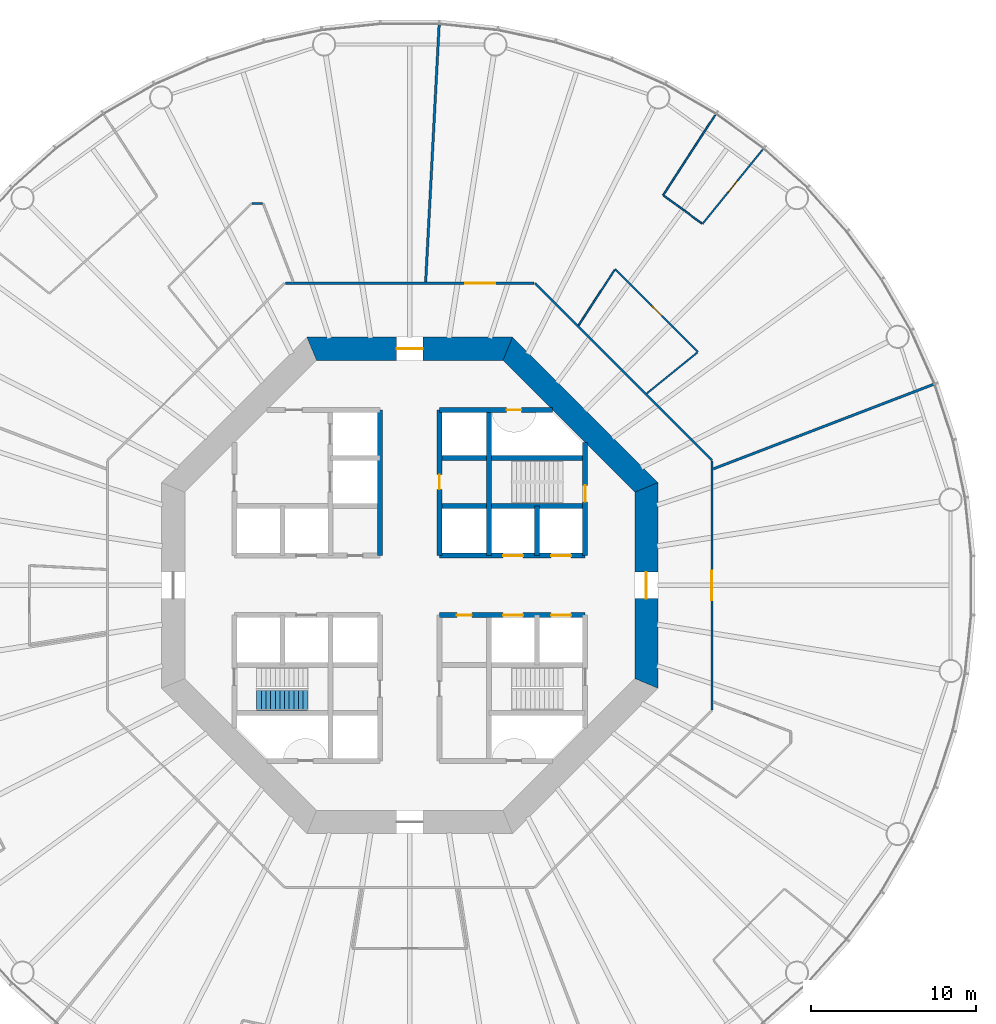
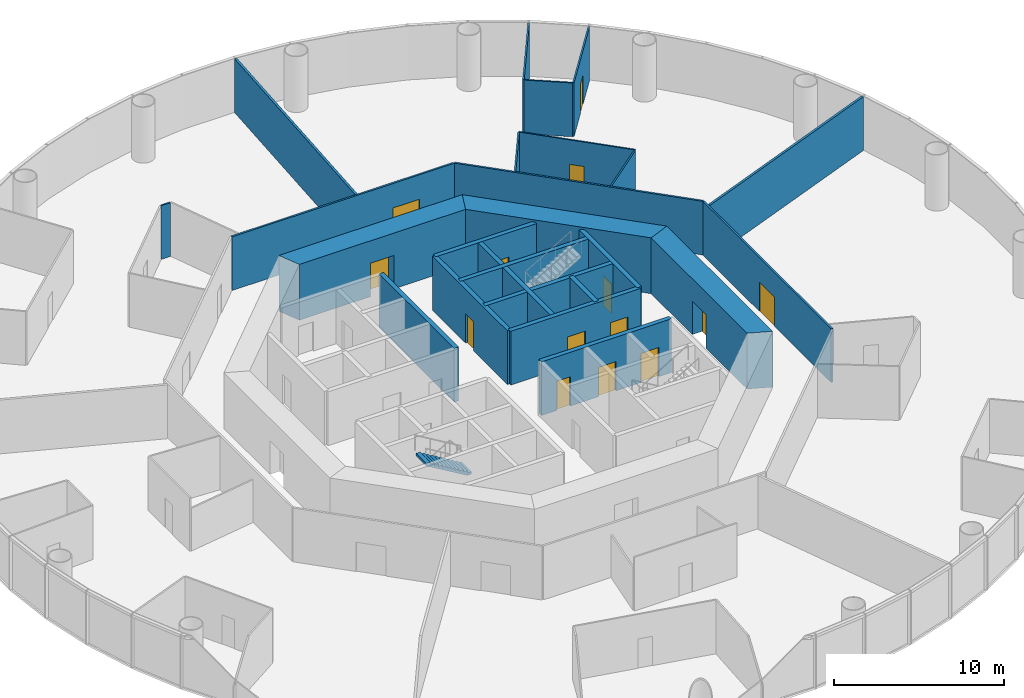
# One storey, part 5 of 13: 25 walls, 14 doors, 1 stair flight, 14 openings, 1 element without a shape of its own.
"""IFC4 building model written with IfcOpenShell, lengths in metres."""

from ifc_helpers import new_model, si_unit, direction, frame, frame_2d, origin, place, context, subcontext, project, spatial, polyline, rectangle, outline, extrude, material, layer, layer_set, type_object, element, fill, aggregate, save


model = new_model("IFC4")

# Units and contexts
model_context = context("Model", 3, precision=1e-05, world=origin(), true_north=direction((0.0, 1.0)))
body_context = subcontext(model_context, "Body", "Model", "MODEL_VIEW")
ifc_project = project(units=[si_unit("LENGTHUNIT", "METRE"), si_unit("AREAUNIT", "SQUARE_METRE"), si_unit("VOLUMEUNIT", "CUBIC_METRE"), si_unit("PLANEANGLEUNIT", "RADIAN"), si_unit("MASSUNIT", "GRAM", prefix="KILO")], contexts=[model_context])

# Site, building, storey
site_placement = place(None, origin())
site = spatial("IfcSite", under=ifc_project, at=site_placement, CompositionType="ELEMENT")
building_placement = place(site_placement, origin())
building = spatial("IfcBuilding", under=site, at=building_placement, Name="Entoto Ring Tower", CompositionType="ELEMENT")
storey_placement = place(building_placement, frame((0.0, 0.0, 62.0)))
storey = spatial("IfcBuildingStorey", under=building, at=storey_placement, Name="L13", CompositionType="ELEMENT", Elevation=62.0)

# Wall, opening, door
ifc_material_1 = material(Name="Concrete C40/50", Category="concrete")
ifc_layer_1 = layer(ifc_material_1, 0.300048828125)
ifc_layer_set_1 = layer_set([ifc_layer_1], Name="Concrete C40/50")
wall_type_1 = type_object("IfcWallType", Name="Core enclosure wall 300 mm reinforced concrete", PredefinedType="SOLIDWALL", material=ifc_layer_set_1)
wall_1_placement = place(storey_placement, frame((100.60009765625, 81.800048828125, 0.0), z_axis=(0.0, 0.0, 1.0), x_axis=(0.0, 1.0, 0.0)))
wall_1 = element("IfcWall", 1, at=wall_1_placement, inside=storey, type_object=wall_type_1, Name="wall-L13-002", PredefinedType="SOLIDWALL", context=body_context, shape_type="SweptSolid", body=[
    extrude(rectangle(XDim=6.833251953125, YDim=0.300048828125, at=frame_2d((3.41650390625, 0.0))), origin(), (0.0, 0.0, 1.0), 3.85009765625),
])
opening_1_placement = place(wall_1_placement, frame((3.25, 0.0, 0.0)))
opening_1 = element("IfcOpeningElement", 2, at=opening_1_placement, cuts=wall_1, Name="Opening K-55", PredefinedType="OPENING", context=body_context, shape_type="SweptSolid", body=[
    extrude(rectangle(XDim=1.0, YDim=2.10009765625, at=frame_2d((0.5, 1.050048828125))), frame((0.0, 0.16015625, 0.0), z_axis=(0.0, -1.0, 0.0), x_axis=(1.0, 0.0, 0.0)), (0.0, 0.0, 1.0), 0.320068359375),
])
ifc_material_2 = material(Name="Steel door leaf, fire rated", Category="steel")
ifc_layer_2 = layer(ifc_material_2, 0.050048828125)
ifc_layer_set_2 = layer_set([ifc_layer_2], Name="Steel door leaf, fire rated")
door_type_1 = type_object("IfcDoorType", Name="Fire door FD60 1000 x 2100 single leaf", OperationType="NOTDEFINED", PredefinedType="DOOR", material=ifc_layer_set_2)
door_1_placement = place(opening_1_placement, origin())
door_1 = element("IfcDoor", 3, at=door_1_placement, inside=storey, type_object=door_type_1, Name="Door K-55", OperationType="SINGLE_SWING_LEFT", OverallHeight=2.10009765625, OverallWidth=1.0, PredefinedType="DOOR", context=body_context, shape_type="SweptSolid", body=[
    extrude(rectangle(XDim=1.0, YDim=2.10009765625, at=frame_2d((0.5, 1.050048828125))), frame((0.0, 0.02490234375, 0.0), z_axis=(0.0, -1.0, 0.0), x_axis=(1.0, 0.0, 0.0)), (0.0, 0.0, 1.0), 0.050048828125),
])
fill(opening_1, door_1)

# Walls
wall_2_placement = place(storey_placement, frame((97.699951171875, 81.800048828125, 0.0), z_axis=(0.0, 0.0, 1.0), x_axis=(0.0, 1.0, 0.0)))
element("IfcWall", 4, at=wall_2_placement, inside=storey, type_object=wall_type_1, Name="wall-L13-004", PredefinedType="SOLIDWALL", context=body_context, shape_type="SweptSolid", body=[
    extrude(rectangle(XDim=3.0, YDim=0.300048828125, at=frame_2d((1.5, 0.0))), origin(), (0.0, 0.0, 1.0), 3.85009765625),
])
wall_3_placement = place(storey_placement, frame((94.800048828125, 81.800048828125, 0.0), z_axis=(0.0, 0.0, 1.0), x_axis=(0.0, 1.0, 0.0)))
element("IfcWall", 5, at=wall_3_placement, inside=storey, type_object=wall_type_1, Name="wall-L13-006", PredefinedType="SOLIDWALL", context=body_context, shape_type="SweptSolid", body=[
    extrude(rectangle(XDim=8.800048828125, YDim=0.300048828125, at=frame_2d((4.39990234375, 0.0))), origin(), (0.0, 0.0, 1.0), 3.85009765625),
])

# Wall, opening, door
wall_4_placement = place(storey_placement, frame((91.800048828125, 81.800048828125, 0.0), z_axis=(0.0, 0.0, 1.0), x_axis=(0.0, 1.0, 0.0)))
wall_4 = element("IfcWall", 6, at=wall_4_placement, inside=storey, type_object=wall_type_1, Name="wall-L13-008", PredefinedType="SOLIDWALL", context=body_context, shape_type="SweptSolid", body=[
    extrude(rectangle(XDim=8.800048828125, YDim=0.300048828125, at=frame_2d((4.39990234375, 0.0))), origin(), (0.0, 0.0, 1.0), 3.85009765625),
])
opening_2_placement = place(wall_4_placement, frame((4.0, 0.0, 0.0)))
opening_2 = element("IfcOpeningElement", 7, at=opening_2_placement, cuts=wall_4, Name="Opening K-11", PredefinedType="OPENING", context=body_context, shape_type="SweptSolid", body=[
    extrude(rectangle(XDim=0.89990234375, YDim=2.10009765625, at=frame_2d((0.449951171875, 1.050048828125))), frame((0.0, 0.16015625, 0.0), z_axis=(0.0, -1.0, 0.0), x_axis=(1.0, 0.0, 0.0)), (0.0, 0.0, 1.0), 0.320068359375),
])
ifc_material_3 = material(Name="Steel door leaf, fire rated", Category="steel")
ifc_layer_3 = layer(ifc_material_3, 0.050048828125)
ifc_layer_set_3 = layer_set([ifc_layer_3], Name="Steel door leaf, fire rated")
door_type_2 = type_object("IfcDoorType", Name="Core door 900 x 2100 single leaf", OperationType="NOTDEFINED", PredefinedType="DOOR", material=ifc_layer_set_3)
door_2_placement = place(opening_2_placement, origin())
door_2 = element("IfcDoor", 8, at=door_2_placement, inside=storey, type_object=door_type_2, Name="Door K-11", OperationType="SINGLE_SWING_RIGHT", OverallHeight=2.10009765625, OverallWidth=0.89990234375, PredefinedType="DOOR", context=body_context, shape_type="SweptSolid", body=[
    extrude(rectangle(XDim=0.89990234375, YDim=2.10009765625, at=frame_2d((0.449951171875, 1.050048828125))), frame((0.0, 0.02490234375, 0.0), z_axis=(0.0, -1.0, 0.0), x_axis=(1.0, 0.0, 0.0)), (0.0, 0.0, 1.0), 0.050048828125),
])
fill(opening_2, door_2)

# Wall
wall_5_placement = place(storey_placement, frame((88.199951171875, 81.800048828125, 0.0), z_axis=(0.0, 0.0, 1.0), x_axis=(0.0, 1.0, 0.0)))
element("IfcWall", 9, at=wall_5_placement, inside=storey, type_object=wall_type_1, Name="wall-L13-010", PredefinedType="SOLIDWALL", context=body_context, shape_type="SweptSolid", body=[
    extrude(rectangle(XDim=8.800048828125, YDim=0.300048828125, at=frame_2d((4.39990234375, 0.0))), origin(), (0.0, 0.0, 1.0), 3.85009765625),
])

# Wall, openings, doors
wall_6_placement = place(storey_placement, frame((91.800048828125, 78.199951171875, 0.0), z_axis=(0.0, 0.0, 1.0), x_axis=(1.0, 0.0, 0.0)))
wall_6 = element("IfcWall", 10, at=wall_6_placement, inside=storey, type_object=wall_type_1, Name="wall-L13-024", PredefinedType="SOLIDWALL", context=body_context, shape_type="SweptSolid", body=[
    extrude(rectangle(XDim=8.800048828125, YDim=0.300048828125, at=frame_2d((4.39990234375, 0.0))), origin(), (0.0, 0.0, 1.0), 3.85009765625),
])
opening_3_placement = place(wall_6_placement, frame((3.85009765625, 0.0, 0.0)))
opening_3 = element("IfcOpeningElement", 11, at=opening_3_placement, cuts=wall_6, Name="Opening LD", PredefinedType="OPENING", context=body_context, shape_type="SweptSolid", body=[
    extrude(rectangle(XDim=1.199951171875, YDim=2.10009765625, at=frame_2d((0.60009765625, 1.050048828125))), frame((0.0, 0.16015625, 0.0), z_axis=(0.0, -1.0, 0.0), x_axis=(1.0, 0.0, 0.0)), (0.0, 0.0, 1.0), 0.320068359375),
])
opening_4_placement = place(wall_6_placement, frame((6.75, 0.0, 0.0)))
opening_4 = element("IfcOpeningElement", 12, at=opening_4_placement, cuts=wall_6, Name="Opening LD", PredefinedType="OPENING", context=body_context, shape_type="SweptSolid", body=[
    extrude(rectangle(XDim=1.199951171875, YDim=2.10009765625, at=frame_2d((0.60009765625, 1.050048828125))), frame((0.0, 0.16015625, 0.0), z_axis=(0.0, -1.0, 0.0), x_axis=(1.0, 0.0, 0.0)), (0.0, 0.0, 1.0), 0.320068359375),
])
opening_5_placement = place(wall_6_placement, frame((1.050048828125, 0.0, 0.0)))
opening_5 = element("IfcOpeningElement", 13, at=opening_5_placement, cuts=wall_6, Name="Opening K-15", PredefinedType="OPENING", context=body_context, shape_type="SweptSolid", body=[
    extrude(rectangle(XDim=0.89990234375, YDim=2.10009765625, at=frame_2d((0.449951171875, 1.050048828125))), frame((0.0, 0.16015625, 0.0), z_axis=(0.0, -1.0, 0.0), x_axis=(1.0, 0.0, 0.0)), (0.0, 0.0, 1.0), 0.320068359375),
])
door_3_placement = place(opening_5_placement, frame((0.89990234375, 0.0, 0.0), z_axis=(0.0, 0.0, 1.0), x_axis=(-1.0, 0.0, 0.0)))
door_3 = element("IfcDoor", 14, at=door_3_placement, inside=storey, type_object=door_type_2, Name="Door K-15", OperationType="SINGLE_SWING_RIGHT", OverallHeight=2.10009765625, OverallWidth=0.89990234375, PredefinedType="DOOR", context=body_context, shape_type="SweptSolid", body=[
    extrude(rectangle(XDim=0.89990234375, YDim=2.10009765625, at=frame_2d((0.449951171875, 1.050048828125))), frame((0.0, 0.02490234375, 0.0), z_axis=(0.0, -1.0, 0.0), x_axis=(1.0, 0.0, 0.0)), (0.0, 0.0, 1.0), 0.050048828125),
])
fill(opening_5, door_3)
ifc_material_4 = material(Name="Steel and glass door leaf", Category="steel")
ifc_layer_4 = layer(ifc_material_4, 0.050048828125)
ifc_layer_set_4 = layer_set([ifc_layer_4], Name="Steel and glass door leaf")
door_type_3 = type_object("IfcDoorType", Name="Landing door 1200 x 2100 sliding", OperationType="DOUBLE_DOOR_SLIDING", PredefinedType="DOOR", material=ifc_layer_set_4)
door_4_placement = place(opening_3_placement, origin())
door_4 = element("IfcDoor", 15, at=door_4_placement, inside=storey, type_object=door_type_3, Name="Landing door LB4-LR", OperationType="SLIDING_TO_RIGHT", OverallHeight=2.10009765625, OverallWidth=1.199951171875, PredefinedType="DOOR", context=body_context, shape_type="SweptSolid", body=[
    extrude(rectangle(XDim=1.199951171875, YDim=2.10009765625, at=frame_2d((0.60009765625, 1.050048828125))), frame((0.0, 0.02490234375, 0.0), z_axis=(0.0, -1.0, 0.0), x_axis=(1.0, 0.0, 0.0)), (0.0, 0.0, 1.0), 0.050048828125),
])
fill(opening_3, door_4)
door_5_placement = place(opening_4_placement, origin())
door_5 = element("IfcDoor", 16, at=door_5_placement, inside=storey, type_object=door_type_3, Name="Landing door LB5-LR", OperationType="SLIDING_TO_RIGHT", OverallHeight=2.10009765625, OverallWidth=1.199951171875, PredefinedType="DOOR", context=body_context, shape_type="SweptSolid", body=[
    extrude(rectangle(XDim=1.199951171875, YDim=2.10009765625, at=frame_2d((0.60009765625, 1.050048828125))), frame((0.0, 0.02490234375, 0.0), z_axis=(0.0, -1.0, 0.0), x_axis=(1.0, 0.0, 0.0)), (0.0, 0.0, 1.0), 0.050048828125),
])
fill(opening_4, door_5)

wall_7_placement = place(storey_placement, frame((91.800048828125, 81.800048828125, 0.0), z_axis=(0.0, 0.0, 1.0), x_axis=(1.0, 0.0, 0.0)))
wall_7 = element("IfcWall", 17, at=wall_7_placement, inside=storey, type_object=wall_type_1, Name="wall-L13-026", PredefinedType="SOLIDWALL", context=body_context, shape_type="SweptSolid", body=[
    extrude(rectangle(XDim=8.800048828125, YDim=0.300048828125, at=frame_2d((4.39990234375, 0.0))), origin(), (0.0, 0.0, 1.0), 3.85009765625),
])
opening_6_placement = place(wall_7_placement, frame((3.85009765625, 0.0, 0.0)))
opening_6 = element("IfcOpeningElement", 18, at=opening_6_placement, cuts=wall_7, Name="Opening LD", PredefinedType="OPENING", context=body_context, shape_type="SweptSolid", body=[
    extrude(rectangle(XDim=1.199951171875, YDim=2.10009765625, at=frame_2d((0.60009765625, 1.050048828125))), frame((0.0, 0.16015625, 0.0), z_axis=(0.0, -1.0, 0.0), x_axis=(1.0, 0.0, 0.0)), (0.0, 0.0, 1.0), 0.320068359375),
])
opening_7_placement = place(wall_7_placement, frame((6.75, 0.0, 0.0)))
opening_7 = element("IfcOpeningElement", 19, at=opening_7_placement, cuts=wall_7, Name="Opening LD", PredefinedType="OPENING", context=body_context, shape_type="SweptSolid", body=[
    extrude(rectangle(XDim=1.199951171875, YDim=2.10009765625, at=frame_2d((0.60009765625, 1.050048828125))), frame((0.0, 0.16015625, 0.0), z_axis=(0.0, -1.0, 0.0), x_axis=(1.0, 0.0, 0.0)), (0.0, 0.0, 1.0), 0.320068359375),
])
door_6_placement = place(opening_6_placement, origin())
door_6 = element("IfcDoor", 20, at=door_6_placement, inside=storey, type_object=door_type_3, Name="Landing door LB1-LR", OperationType="SLIDING_TO_RIGHT", OverallHeight=2.10009765625, OverallWidth=1.199951171875, PredefinedType="DOOR", context=body_context, shape_type="SweptSolid", body=[
    extrude(rectangle(XDim=1.199951171875, YDim=2.10009765625, at=frame_2d((0.60009765625, 1.050048828125))), frame((0.0, 0.02490234375, 0.0), z_axis=(0.0, -1.0, 0.0), x_axis=(1.0, 0.0, 0.0)), (0.0, 0.0, 1.0), 0.050048828125),
])
fill(opening_6, door_6)
door_7_placement = place(opening_7_placement, origin())
door_7 = element("IfcDoor", 21, at=door_7_placement, inside=storey, type_object=door_type_3, Name="Landing door LB2-LR", OperationType="SLIDING_TO_RIGHT", OverallHeight=2.10009765625, OverallWidth=1.199951171875, PredefinedType="DOOR", context=body_context, shape_type="SweptSolid", body=[
    extrude(rectangle(XDim=1.199951171875, YDim=2.10009765625, at=frame_2d((0.60009765625, 1.050048828125))), frame((0.0, 0.02490234375, 0.0), z_axis=(0.0, -1.0, 0.0), x_axis=(1.0, 0.0, 0.0)), (0.0, 0.0, 1.0), 0.050048828125),
])
fill(opening_7, door_7)

# Walls
for number, where, z_axis, x_axis, name in (
    (22, (91.800048828125, 84.800048828125, 0.0), (0.0, 0.0, 1.0), (1.0, 0.0, 0.0), "wall-L13-028"),
    (23, (91.800048828125, 87.699951171875, 0.0), (0.0, 0.0, 1.0), (1.0, 0.0, 0.0), "wall-L13-030"),
):
    element("IfcWall", number, at=place(storey_placement, frame(where, z_axis=z_axis, x_axis=x_axis)), inside=storey, type_object=wall_type_1, Name=name, PredefinedType="SOLIDWALL", context=body_context, shape_type="SweptSolid", body=[
        extrude(rectangle(XDim=8.800048828125, YDim=0.300048828125, at=frame_2d((4.39990234375, 0.0))), origin(), (0.0, 0.0, 1.0), 3.85009765625),
    ])

# Wall, opening, door
wall_8_placement = place(storey_placement, frame((91.800048828125, 90.60009765625, 0.0), z_axis=(0.0, 0.0, 1.0), x_axis=(1.0, 0.0, 0.0)))
wall_8 = element("IfcWall", 24, at=wall_8_placement, inside=storey, type_object=wall_type_1, Name="wall-L13-032", PredefinedType="SOLIDWALL", context=body_context, shape_type="SweptSolid", body=[
    extrude(rectangle(XDim=6.833251953125, YDim=0.300048828125, at=frame_2d((3.41650390625, 0.0))), origin(), (0.0, 0.0, 1.0), 3.85009765625),
])
opening_8_placement = place(wall_8_placement, frame((4.050048828125, 0.0, 0.0)))
opening_8 = element("IfcOpeningElement", 25, at=opening_8_placement, cuts=wall_8, Name="Opening K-62", PredefinedType="OPENING", context=body_context, shape_type="SweptSolid", body=[
    extrude(rectangle(XDim=0.89990234375, YDim=2.10009765625, at=frame_2d((0.449951171875, 1.050048828125))), frame((0.0, 0.16015625, 0.0), z_axis=(0.0, -1.0, 0.0), x_axis=(1.0, 0.0, 0.0)), (0.0, 0.0, 1.0), 0.320068359375),
])
ifc_material_5 = material(Name="Steel door leaf, fire rated", Category="steel")
ifc_layer_5 = layer(ifc_material_5, 0.050048828125)
ifc_layer_set_5 = layer_set([ifc_layer_5], Name="Steel door leaf, fire rated")
door_type_4 = type_object("IfcDoorType", Name="Riser door FD60 900 x 2100 single leaf", OperationType="NOTDEFINED", PredefinedType="DOOR", material=ifc_layer_set_5)
door_8_placement = place(opening_8_placement, frame((0.89990234375, 0.0, 0.0), z_axis=(0.0, 0.0, 1.0), x_axis=(-1.0, 0.0, 0.0)))
door_8 = element("IfcDoor", 26, at=door_8_placement, inside=storey, type_object=door_type_4, Name="Door K-62", OperationType="SINGLE_SWING_LEFT", OverallHeight=2.10009765625, OverallWidth=0.89990234375, PredefinedType="DOOR", context=body_context, shape_type="SweptSolid", body=[
    extrude(rectangle(XDim=0.89990234375, YDim=2.10009765625, at=frame_2d((0.449951171875, 1.050048828125))), frame((0.0, 0.02490234375, 0.0), z_axis=(0.0, -1.0, 0.0), x_axis=(1.0, 0.0, 0.0)), (0.0, 0.0, 1.0), 0.050048828125),
])
fill(opening_8, door_8)

ifc_material_6 = material(Name="Concrete C60/75", Category="concrete")
ifc_layer_6 = layer(ifc_material_6, 1.39990234375)
ifc_layer_set_6 = layer_set([ifc_layer_6], Name="Concrete C60/75")
wall_type_2 = type_object("IfcWallType", Name="Core shear wall 1400 mm reinforced concrete C60/75", PredefinedType="SHEAR", material=ifc_layer_set_6)
wall_9_placement = place(storey_placement, frame((104.300048828125, 74.07666015625, 0.0), z_axis=(0.0, 0.0, 1.0), x_axis=(0.0, 1.0, 0.0)))
wall_9 = element("IfcWall", 27, at=wall_9_placement, inside=storey, type_object=wall_type_2, Name="wall-L13-core-0", PredefinedType="SHEAR", context=body_context, shape_type="SweptSolid", body=[
    extrude(outline(polyline([(-0.2900390625, -0.699951171875), (12.13671875, -0.699951171875), (11.556640625, 0.699951171875), (0.2900390625, 0.699951171875), (-0.2900390625, -0.699951171875)])), origin(), (0.0, 0.0, 1.0), 4.0),
])
opening_9_placement = place(wall_9_placement, frame((5.123291015625, 0.0, 0.0)))
opening_9 = element("IfcOpeningElement", 28, at=opening_9_placement, cuts=wall_9, Name="Opening K-01", PredefinedType="OPENING", context=body_context, shape_type="SweptSolid", body=[
    extrude(rectangle(XDim=1.60009765625, YDim=2.39990234375, at=frame_2d((0.800048828125, 1.199951171875))), frame((0.0, 0.7099609375, 0.0), z_axis=(0.0, -1.0, 0.0), x_axis=(1.0, 0.0, 0.0)), (0.0, 0.0, 1.0), 1.419921875),
])
ifc_material_7 = material(Name="Steel door leaf, fire rated", Category="steel")
ifc_layer_7 = layer(ifc_material_7, 0.050048828125)
ifc_layer_set_7 = layer_set([ifc_layer_7], Name="Steel door leaf, fire rated")
door_type_5 = type_object("IfcDoorType", Name="Entrance door FD60 1600 x 2400 double leaf", OperationType="DOUBLE_DOOR_SINGLE_SWING", PredefinedType="DOOR", material=ifc_layer_set_7)
door_9_placement = place(opening_9_placement, origin())
door_9 = element("IfcDoor", 29, at=door_9_placement, inside=storey, type_object=door_type_5, Name="Entrance door K-01", OperationType="DOUBLE_DOOR_SINGLE_SWING", OverallHeight=2.39990234375, OverallWidth=1.60009765625, PredefinedType="DOOR", context=body_context, shape_type="SweptSolid", body=[
    extrude(rectangle(XDim=1.60009765625, YDim=2.39990234375, at=frame_2d((0.800048828125, 1.199951171875))), frame((0.0, 0.02490234375, 0.0), z_axis=(0.0, -1.0, 0.0), x_axis=(1.0, 0.0, 0.0)), (0.0, 0.0, 1.0), 0.050048828125),
])
fill(opening_9, door_9)

# Wall
wall_10_placement = place(storey_placement, frame((104.300048828125, 85.92333984375, 0.0), z_axis=(0.0, 0.0, 1.0), x_axis=(-0.707106781187, 0.707106781187, 0.0)))
element("IfcWall", 30, at=wall_10_placement, inside=storey, type_object=wall_type_2, Name="wall-L13-core-1", PredefinedType="SHEAR", context=body_context, shape_type="SweptSolid", body=[
    extrude(outline(polyline([(-0.2900390625, -0.699951171875), (12.136474609375, -0.699951171875), (11.556396484375, 0.699951171875), (0.2900390625, 0.699951171875), (-0.2900390625, -0.699951171875)])), origin(), (0.0, 0.0, 1.0), 4.0),
])

# Wall, opening, door
wall_11_placement = place(storey_placement, frame((95.92333984375, 94.300048828125, 0.0), z_axis=(0.0, 0.0, 1.0), x_axis=(-1.0, 0.0, 0.0)))
wall_11 = element("IfcWall", 31, at=wall_11_placement, inside=storey, type_object=wall_type_2, Name="wall-L13-core-2", PredefinedType="SHEAR", context=body_context, shape_type="SweptSolid", body=[
    extrude(outline(polyline([(-0.2900390625, -0.699951171875), (12.13671875, -0.699951171875), (11.556640625, 0.699951171875), (0.2900390625, 0.699951171875), (-0.2900390625, -0.699951171875)])), origin(), (0.0, 0.0, 1.0), 4.0),
])
opening_10_placement = place(wall_11_placement, frame((5.123291015625, 0.0, 0.0)))
opening_10 = element("IfcOpeningElement", 32, at=opening_10_placement, cuts=wall_11, Name="Opening K-02", PredefinedType="OPENING", context=body_context, shape_type="SweptSolid", body=[
    extrude(rectangle(XDim=1.60009765625, YDim=2.39990234375, at=frame_2d((0.800048828125, 1.199951171875))), frame((0.0, 0.7099609375, 0.0), z_axis=(0.0, -1.0, 0.0), x_axis=(1.0, 0.0, 0.0)), (0.0, 0.0, 1.0), 1.419921875),
])
door_10_placement = place(opening_10_placement, origin())
door_10 = element("IfcDoor", 33, at=door_10_placement, inside=storey, type_object=door_type_5, Name="Entrance door K-02", OperationType="DOUBLE_DOOR_SINGLE_SWING", OverallHeight=2.39990234375, OverallWidth=1.60009765625, PredefinedType="DOOR", context=body_context, shape_type="SweptSolid", body=[
    extrude(rectangle(XDim=1.60009765625, YDim=2.39990234375, at=frame_2d((0.800048828125, 1.199951171875))), frame((0.0, 0.02490234375, 0.0), z_axis=(0.0, -1.0, 0.0), x_axis=(1.0, 0.0, 0.0)), (0.0, 0.0, 1.0), 0.050048828125),
])
fill(opening_10, door_10)

# Wall
ifc_material_8 = material(Name="Fire-resisting plasterboard on steel studs", Category="steel")
ifc_layer_8 = layer(ifc_material_8, 0.125)
ifc_layer_set_8 = layer_set([ifc_layer_8], Name="Fire-resisting plasterboard on steel studs")
wall_type_3 = type_object("IfcWallType", Name="Corridor wall 125 mm one-hour plasterboard on steel studs", PredefinedType="PARTITIONING", material=ifc_layer_set_8)
wall_12_placement = place(storey_placement, frame((108.262451171875, 87.564697265625, 0.0), z_axis=(0.0, 0.0, 1.0), x_axis=(-0.707106781187, 0.707106781187, 0.0)))
element("IfcWall", 34, at=wall_12_placement, inside=storey, type_object=wall_type_3, Name="partition-L13-004", PredefinedType="PARTITIONING", context=body_context, shape_type="SweptSolid", body=[
    extrude(rectangle(XDim=15.12890625, YDim=0.125, at=frame_2d((7.564453125, 0.0))), origin(), (0.0, 0.0, 1.0), 3.85009765625),
])

# Wall, opening, door
wall_13_placement = place(storey_placement, frame((82.4794921875, 98.262451171875, 0.0), z_axis=(0.0, 0.0, 1.0), x_axis=(1.0, 0.0, 0.0)))
wall_13 = element("IfcWall", 35, at=wall_13_placement, inside=storey, type_object=wall_type_3, Name="partition-L13-007", PredefinedType="PARTITIONING", context=body_context, shape_type="SweptSolid", body=[
    extrude(rectangle(XDim=15.041015625, YDim=0.125, at=frame_2d((7.5205078125, 0.0))), origin(), (0.0, 0.0, 1.0), 3.85009765625),
])
opening_11_placement = place(wall_13_placement, frame((10.88134765625, 0.0, 0.0)))
opening_11 = element("IfcOpeningElement", 36, at=opening_11_placement, cuts=wall_13, Name="Opening A05-D11", PredefinedType="OPENING", context=body_context, shape_type="SweptSolid", body=[
    extrude(rectangle(XDim=1.800048828125, YDim=2.10009765625, at=frame_2d((0.89990234375, 1.050048828125))), frame((0.0, 0.072509765625, 0.0), z_axis=(0.0, -1.0, 0.0), x_axis=(1.0, 0.0, 0.0)), (0.0, 0.0, 1.0), 0.14501953125),
])
ifc_material_9 = material(Name="Fire-resisting timber door set", Category="wood")
door_type_6 = type_object("IfcDoorType", Name="Door 1800 x 2100 double leaf FD30S fire door", OperationType="DOUBLE_DOOR_SINGLE_SWING", PredefinedType="DOOR", material=ifc_material_9)
door_11_placement = place(opening_11_placement, origin())
door_11 = element("IfcDoor", 37, at=door_11_placement, inside=storey, type_object=door_type_6, Name="Door A05-D11", OperationType="DOUBLE_DOOR_SINGLE_SWING", OverallHeight=2.10009765625, OverallWidth=1.800048828125, PredefinedType="DOOR", context=body_context, shape_type="SweptSolid", body=[
    extrude(rectangle(XDim=1.800048828125, YDim=2.10009765625, at=frame_2d((0.89990234375, 1.050048828125))), frame((0.0, 0.02490234375, 0.0), z_axis=(0.0, -1.0, 0.0), x_axis=(1.0, 0.0, 0.0)), (0.0, 0.0, 1.0), 0.050048828125),
])
fill(opening_11, door_11)

wall_14_placement = place(storey_placement, frame((108.262451171875, 72.4794921875, 0.0), z_axis=(0.0, 0.0, 1.0), x_axis=(0.0, 1.0, 0.0)))
wall_14 = element("IfcWall", 38, at=wall_14_placement, inside=storey, type_object=wall_type_3, Name="partition-L13-008", PredefinedType="PARTITIONING", context=body_context, shape_type="SweptSolid", body=[
    extrude(rectangle(XDim=15.041015625, YDim=0.125, at=frame_2d((7.5205078125, 0.0))), origin(), (0.0, 0.0, 1.0), 3.85009765625),
])
opening_12_placement = place(wall_14_placement, frame((6.62060546875, 0.0, 0.0)))
opening_12 = element("IfcOpeningElement", 39, at=opening_12_placement, cuts=wall_14, Name="Opening A05-D08", PredefinedType="OPENING", context=body_context, shape_type="SweptSolid", body=[
    extrude(rectangle(XDim=1.800048828125, YDim=2.10009765625, at=frame_2d((0.89990234375, 1.050048828125))), frame((0.0, 0.072509765625, 0.0), z_axis=(0.0, -1.0, 0.0), x_axis=(1.0, 0.0, 0.0)), (0.0, 0.0, 1.0), 0.14501953125),
])
door_12_placement = place(opening_12_placement, origin())
door_12 = element("IfcDoor", 40, at=door_12_placement, inside=storey, type_object=door_type_6, Name="Door A05-D08", OperationType="DOUBLE_DOOR_SINGLE_SWING", OverallHeight=2.10009765625, OverallWidth=1.800048828125, PredefinedType="DOOR", context=body_context, shape_type="SweptSolid", body=[
    extrude(rectangle(XDim=1.800048828125, YDim=2.10009765625, at=frame_2d((0.89990234375, 1.050048828125))), frame((0.0, 0.02490234375, 0.0), z_axis=(0.0, -1.0, 0.0), x_axis=(1.0, 0.0, 0.0)), (0.0, 0.0, 1.0), 0.050048828125),
])
fill(opening_12, door_12)

ifc_material_10 = material(Name="Plasterboard on steel studs", Category="steel")
ifc_layer_9 = layer(ifc_material_10, 0.10009765625)
ifc_layer_set_9 = layer_set([ifc_layer_9], Name="Plasterboard on steel studs")
wall_type_4 = type_object("IfcWallType", Name="Partition 100 mm plasterboard on steel studs", PredefinedType="PARTITIONING", material=ifc_layer_set_9)
wall_15_placement = place(storey_placement, frame((107.419921875, 94.1064453125, 0.0), z_axis=(0.0, 0.0, 1.0), x_axis=(-0.707106781187, 0.707106781187, 0.0)))
wall_15 = element("IfcWall", 41, at=wall_15_placement, inside=storey, type_object=wall_type_4, Name="partition-L13-017", PredefinedType="PARTITIONING", context=body_context, shape_type="SweptSolid", body=[
    extrude(rectangle(XDim=7.08154296875, YDim=0.10009765625, at=frame_2d((3.540771484375, 0.0))), origin(), (0.0, 0.0, 1.0), 3.85009765625),
])
opening_13_placement = place(wall_15_placement, frame((3.0908203125, 0.0, 0.0)))
opening_13 = element("IfcOpeningElement", 42, at=opening_13_placement, cuts=wall_15, Name="Opening A05-D12", PredefinedType="OPENING", context=body_context, shape_type="SweptSolid", body=[
    extrude(rectangle(XDim=0.89990234375, YDim=2.10009765625, at=frame_2d((0.449951171875, 1.050048828125))), frame((0.0, 0.06005859375, 0.0), z_axis=(0.0, -1.0, 0.0), x_axis=(1.0, 0.0, 0.0)), (0.0, 0.0, 1.0), 0.1201171875),
])
ifc_material_11 = material(Name="Veneered timber door leaf in timber frame", Category="wood")
door_type_7 = type_object("IfcDoorType", Name="Door 900 x 2100 single leaf timber veneer", OperationType="NOTDEFINED", PredefinedType="DOOR", material=ifc_material_11)
door_13_placement = place(opening_13_placement, origin())
door_13 = element("IfcDoor", 43, at=door_13_placement, inside=storey, type_object=door_type_7, Name="Door A05-D12", OperationType="SINGLE_SWING_RIGHT", OverallHeight=2.10009765625, OverallWidth=0.89990234375, PredefinedType="DOOR", context=body_context, shape_type="SweptSolid", body=[
    extrude(rectangle(XDim=0.89990234375, YDim=2.10009765625, at=frame_2d((0.449951171875, 1.050048828125))), frame((0.0, 0.02490234375, 0.0), z_axis=(0.0, -1.0, 0.0), x_axis=(1.0, 0.0, 0.0)), (0.0, 0.0, 1.0), 0.050048828125),
])
fill(opening_13, door_13)

wall_16_placement = place(storey_placement, frame((107.696533203125, 101.853271484375, 0.0), z_axis=(0.0, 0.0, 1.0), x_axis=(0.629318896289, 0.777147171888, 0.0)))
wall_16 = element("IfcWall", 44, at=wall_16_placement, inside=storey, type_object=wall_type_4, Name="partition-L13-023", PredefinedType="PARTITIONING", context=body_context, shape_type="SweptSolid", body=[
    extrude(rectangle(XDim=5.81982421875, YDim=0.10009765625, at=frame_2d((2.909912109375, 0.0))), origin(), (0.0, 0.0, 1.0), 3.85009765625),
])
opening_14_placement = place(wall_16_placement, frame((2.4599609375, 0.0, 0.0)))
opening_14 = element("IfcOpeningElement", 45, at=opening_14_placement, cuts=wall_16, Name="Opening A05-D13", PredefinedType="OPENING", context=body_context, shape_type="SweptSolid", body=[
    extrude(rectangle(XDim=0.89990234375, YDim=2.10009765625, at=frame_2d((0.449951171875, 1.050048828125))), frame((0.0, 0.06005859375, 0.0), z_axis=(0.0, -1.0, 0.0), x_axis=(1.0, 0.0, 0.0)), (0.0, 0.0, 1.0), 0.1201171875),
])
door_14_placement = place(opening_14_placement, origin())
door_14 = element("IfcDoor", 46, at=door_14_placement, inside=storey, type_object=door_type_7, Name="Door A05-D13", OperationType="SINGLE_SWING_RIGHT", OverallHeight=2.10009765625, OverallWidth=0.89990234375, PredefinedType="DOOR", context=body_context, shape_type="SweptSolid", body=[
    extrude(rectangle(XDim=0.89990234375, YDim=2.10009765625, at=frame_2d((0.449951171875, 1.050048828125))), frame((0.0, 0.02490234375, 0.0), z_axis=(0.0, -1.0, 0.0), x_axis=(1.0, 0.0, 0.0)), (0.0, 0.0, 1.0), 0.050048828125),
])
fill(opening_14, door_14)

# Walls
wall_17_placement = place(storey_placement, frame((105.315185546875, 103.58349609375, 0.0), z_axis=(0.0, 0.0, 1.0), x_axis=(0.544650659526, 0.838663018785, 0.0)))
element("IfcWall", 47, at=wall_17_placement, inside=storey, type_object=wall_type_4, Name="partition-L13-024", PredefinedType="PARTITIONING", context=body_context, shape_type="SweptSolid", body=[
    extrude(rectangle(XDim=5.820068359375, YDim=0.10009765625, at=frame_2d((2.91015625, 0.0))), origin(), (0.0, 0.0, 1.0), 3.85009765625),
])
wall_18_placement = place(storey_placement, frame((100.209228515625, 95.720703125, 0.0), z_axis=(0.0, 0.0, 1.0), x_axis=(0.544604883043, 0.838692745507, 0.0)))
element("IfcWall", 48, at=wall_18_placement, inside=storey, type_object=wall_type_4, Name="partition-L13-041", PredefinedType="PARTITIONING", context=body_context, shape_type="SweptSolid", body=[
    extrude(rectangle(XDim=3.98388671875, YDim=0.10009765625, at=frame_2d((1.991943359375, 0.0))), origin(), (0.0, 0.0, 1.0), 3.85009765625),
])
wall_19_placement = place(storey_placement, frame((104.32373046875, 91.59912109375, 0.0), z_axis=(0.0, 0.0, 1.0), x_axis=(0.77712618502, 0.629344812131, 0.0)))
element("IfcWall", 49, at=wall_19_placement, inside=storey, type_object=wall_type_4, Name="partition-L13-042", PredefinedType="PARTITIONING", context=body_context, shape_type="SweptSolid", body=[
    extrude(rectangle(XDim=3.928466796875, YDim=0.10009765625, at=frame_2d((1.96435546875, 0.0))), origin(), (0.0, 0.0, 1.0), 3.85009765625),
])
wall_20_placement = place(storey_placement, frame((107.656005859375, 101.8828125, 0.0), z_axis=(0.0, 0.0, 1.0), x_axis=(-0.808995913271, 0.587814266849, 0.0)))
element("IfcWall", 50, at=wall_20_placement, inside=storey, type_object=wall_type_4, Name="partition-L13-046", PredefinedType="PARTITIONING", context=body_context, shape_type="SweptSolid", body=[
    extrude(rectangle(XDim=2.843505859375, YDim=0.10009765625, at=frame_2d((1.421875, 0.0))), origin(), (0.0, 0.0, 1.0), 3.85009765625),
])
wall_21_placement = place(storey_placement, frame((80.47412109375, 103.08251953125, 0.0), z_axis=(0.0, 0.0, 1.0), x_axis=(1.0, 0.0, 0.0)))
element("IfcWall", 51, at=wall_21_placement, inside=storey, type_object=wall_type_4, Name="partition-L13-047", PredefinedType="PARTITIONING", context=body_context, shape_type="SweptSolid", body=[
    extrude(rectangle(XDim=0.618896484375, YDim=0.10009765625, at=frame_2d((0.3095703125, 0.0))), origin(), (0.0, 0.0, 1.0), 3.85009765625),
])
ifc_material_12 = material(Name="Fire-resisting acoustic plasterboard on steel studs", Category="steel")
ifc_layer_10 = layer(ifc_material_12, 0.14990234375)
ifc_layer_set_10 = layer_set([ifc_layer_10], Name="Fire-resisting acoustic plasterboard on steel studs")
wall_type_5 = type_object("IfcWallType", Name="Party wall 150 mm one-hour acoustic plasterboard on steel studs", PredefinedType="PARTITIONING", material=ifc_layer_set_10)
wall_22_placement = place(storey_placement, frame((90.960693359375, 98.328857421875, 0.0), z_axis=(0.0, 0.0, 1.0), x_axis=(0.052333563825, 0.998629660133, 0.0)))
element("IfcWall", 52, at=wall_22_placement, inside=storey, type_object=wall_type_5, Name="partition-L13-009", PredefinedType="PARTITIONING", context=body_context, shape_type="SweptSolid", body=[
    extrude(rectangle(XDim=15.5859375, YDim=0.14990234375, at=frame_2d((7.79296875, 0.0))), origin(), (0.0, 0.0, 1.0), 3.85009765625),
])
wall_23_placement = place(storey_placement, frame((108.351806640625, 87.044677734375, 0.0), z_axis=(0.0, 0.0, 1.0), x_axis=(0.933581102113, 0.358366189501, 0.0)))
element("IfcWall", 53, at=wall_23_placement, inside=storey, type_object=wall_type_5, Name="partition-L13-013", PredefinedType="PARTITIONING", context=body_context, shape_type="SweptSolid", body=[
    extrude(rectangle(XDim=14.28271484375, YDim=0.14990234375, at=frame_2d((7.141357421875, 0.0))), origin(), (0.0, 0.0, 1.0), 3.85009765625),
])

# Stair, stair flight
ifc_material_13 = material(Name="Concrete C40/50", Category="concrete")
stair_type = type_object("IfcStairType", Name="Exit stair 1200 mm dog-leg reinforced concrete", PredefinedType="HALF_TURN_STAIR", material=ifc_material_13)
stair_placement = place(storey_placement, origin())
stair = element("IfcStair", 54, at=stair_placement, inside=storey, type_object=stair_type, Name="Exit stair 2", PredefinedType="HALF_TURN_STAIR")
ifc_material_14 = material(Name="Concrete C40/50", Category="concrete")
stair_flight_type = type_object("IfcStairFlightType", Name="Stair flight 1200 mm reinforced concrete", PredefinedType="STRAIGHT", material=ifc_material_14)
stair_flight_placement = place(storey_placement, frame((83.830078125, 73.050048828125, 2.0), z_axis=(0.0, 0.0, 1.0), x_axis=(-1.0, 0.0, 0.0)))
stair_flight = element("IfcStairFlight", 55, at=stair_flight_placement, type_object=stair_flight_type, Name="ST2 flight 2", NumberOfRisers=12, NumberOfTreads=11, PredefinedType="STRAIGHT", RiserHeight=0.166666667, TreadLength=0.28, context=body_context, shape_type="SweptSolid", body=[
    extrude(outline(polyline([(0.0, 0.0), (0.0, 0.166748046875), (0.280029296875, 0.166748046875), (0.280029296875, 0.333251953125), (0.56005859375, 0.333251953125), (0.56005859375, 0.5), (0.840087890625, 0.5), (0.840087890625, 0.666748046875), (1.1201171875, 0.666748046875), (1.1201171875, 0.833251953125), (1.39990234375, 0.833251953125), (1.39990234375, 1.0), (1.679931640625, 1.0), (1.679931640625, 1.166748046875), (1.9599609375, 1.166748046875), (1.9599609375, 1.333251953125), (2.239990234375, 1.333251953125), (2.239990234375, 1.5), (2.52001953125, 1.5), (2.52001953125, 1.666748046875), (2.800048828125, 1.666748046875), (2.800048828125, 1.833251953125), (3.080078125, 1.833251953125), (3.080078125, 2.0), (3.080078125, 1.658935546875), (0.29296875, 0.0), (0.0, 0.0)])), frame((0.0, 0.60009765625, 0.0), z_axis=(0.0, -1.0, 0.0), x_axis=(1.0, 0.0, 0.0)), (0.0, 0.0, 1.0), 1.199951171875),
])
aggregate(stair, [stair_flight])

save(model, "model.ifc")
